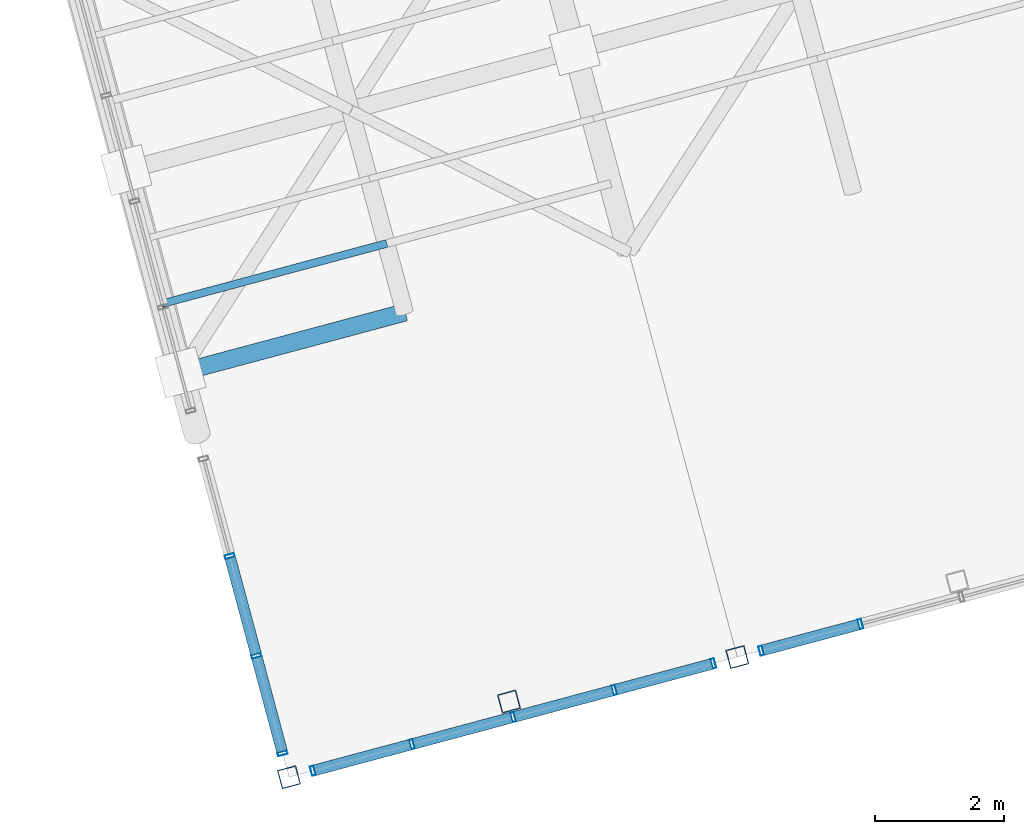
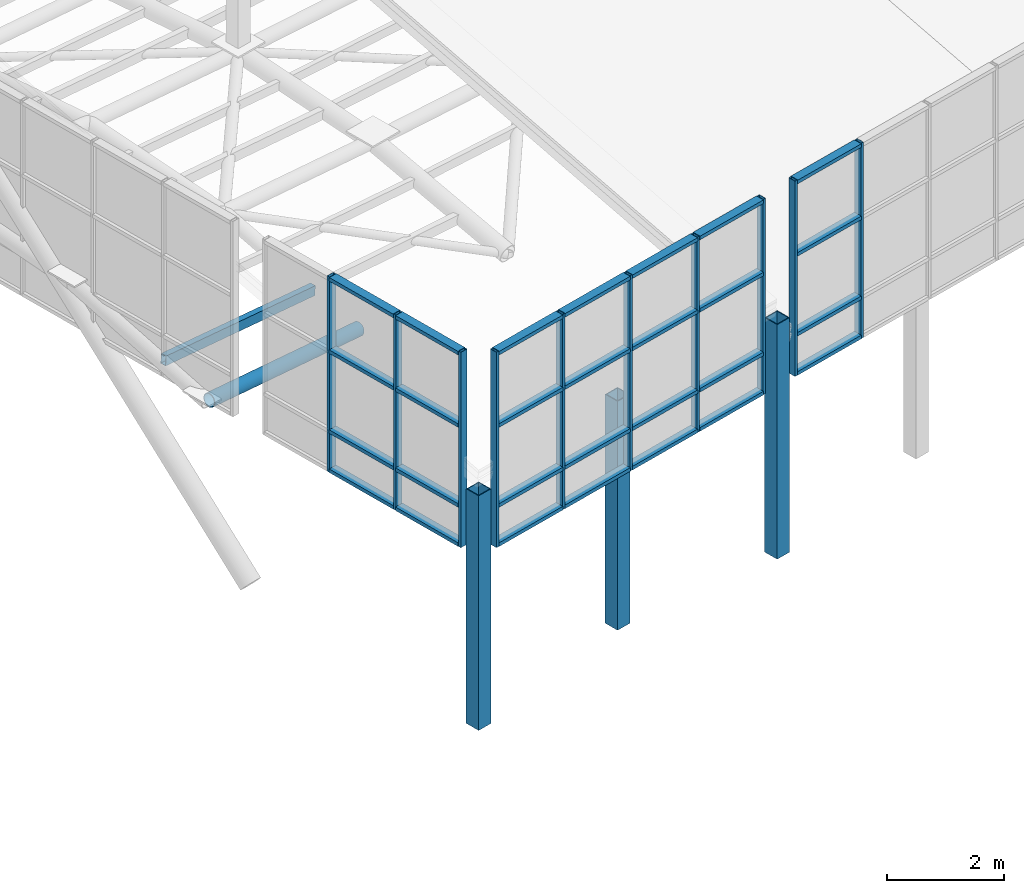
# One storey, part 4 of 28: 43 members, 3 elements without a shape of their own.
"""IFC4 building model written with IfcOpenShell, lengths in metres."""

import ifcopenshell
import ifcopenshell.guid

model = None  # the IFC model being written
_history = None  # IfcOwnerHistory: only IFC2X3 demands one
_inside = {}  # id of a spatial element -> (the spatial element, [elements in it])
_under = {}  # id of a project, library or spatial element -> (it, [spatial elements below it])
_declared = {}  # id of a project -> (the project, [libraries it declares])
_typed = {}  # id of a type object -> (the type object, [elements of that type])
_made_of = {}  # id of a material, layer set ... -> (it, [elements and type objects made of it])


def new_model(schema):
    """Start an empty IFC model of exactly this schema.

    Asked for "IFC4X3", IfcOpenShell would pick the latest addendum, in which some entities
    have other attributes; the version numbers below select the first issue.
    IFC2X3 requires an IfcOwnerHistory on every rooted entity: one is made here for all.
    """
    global model, _history
    if schema == "IFC4X3":
        model = ifcopenshell.file(schema_version=(4, 3, 0, 0))
    else:
        model = ifcopenshell.file(schema=schema)
    _inside.clear()
    _under.clear()
    _declared.clear()
    _typed.clear()
    _made_of.clear()
    _history = None
    if model.schema == "IFC2X3":
        org = make("IfcOrganization", Name="unknown")
        user = make(
            "IfcPersonAndOrganization",
            ThePerson=make("IfcPerson", FamilyName="unknown"),
            TheOrganization=org,
        )
        app = make(
            "IfcApplication",
            ApplicationDeveloper=org,
            Version="unknown",
            ApplicationFullName="unknown",
            ApplicationIdentifier="unknown",
        )
        _history = make(
            "IfcOwnerHistory",
            OwningUser=user,
            OwningApplication=app,
            ChangeAction="ADDED",
            CreationDate=0,
        )
    return model


def make(cls, **values):
    """One entity of the class cls with the attributes given. An attribute that is None is left unset."""
    return model.create_entity(
        cls, **{name: value for name, value in values.items() if value is not None}
    )


def rooted(cls, **values):
    """An entity with a GlobalId (a new one), such as an element, a storey or a relation."""
    return make(cls, GlobalId=ifcopenshell.guid.new(), OwnerHistory=_history, **values)


def si_unit(unit_type, name, prefix=None):
    """IfcSIUnit, for example si_unit("LENGTHUNIT", "METRE", prefix="MILLI")."""
    return make("IfcSIUnit", UnitType=unit_type, Prefix=prefix, Name=name)


def assignment(units):
    """IfcUnitAssignment: the units of a project."""
    return None if units is None else make("IfcUnitAssignment", Units=units)


def point(xyz):
    """IfcCartesianPoint."""
    return None if xyz is None else make("IfcCartesianPoint", Coordinates=xyz)


def direction(xyz):
    """IfcDirection."""
    return None if xyz is None else make("IfcDirection", DirectionRatios=xyz)


def frame(location, z_axis=None, x_axis=None):
    """IfcAxis2Placement3D, a coordinate frame: its origin and axes. An axis left out is left unset."""
    return make(
        "IfcAxis2Placement3D",
        Location=point(location),
        Axis=direction(z_axis),
        RefDirection=direction(x_axis),
    )


def frame_2d(location, x_axis=None):
    """IfcAxis2Placement2D, a coordinate frame in the plane: its origin and x axis."""
    return make(
        "IfcAxis2Placement2D", Location=point(location), RefDirection=direction(x_axis)
    )


def origin():
    """The frame at (0, 0, 0) with its axes left unset."""
    return frame((0.0, 0.0, 0.0))


def origin_2d():
    """The frame at (0, 0) in the plane with its x axis left unset."""
    return frame_2d((0.0, 0.0))


def place(relative_to, where):
    """IfcLocalPlacement: puts the frame where relative to a parent placement (None: the world)."""
    return make(
        "IfcLocalPlacement", PlacementRelTo=relative_to, RelativePlacement=where
    )


def context(
    kind, dimensions, precision=None, world=None, true_north=None, identifier=None
):
    """IfcGeometricRepresentationContext, for example the 3D "Model" context."""
    return make(
        "IfcGeometricRepresentationContext",
        ContextIdentifier=identifier,
        ContextType=kind,
        CoordinateSpaceDimension=dimensions,
        Precision=precision,
        WorldCoordinateSystem=world,
        TrueNorth=true_north,
    )


def subcontext(parent, identifier, kind, view, scale=None):
    """IfcGeometricRepresentationSubContext, for example "Body" below "Model"."""
    return make(
        "IfcGeometricRepresentationSubContext",
        ContextIdentifier=identifier,
        ContextType=kind,
        ParentContext=parent,
        TargetScale=scale,
        TargetView=view,
    )


def project(units=None, contexts=None):
    """IfcProject with its units and contexts."""
    return rooted(
        "IfcProject",
        Name="project",
        RepresentationContexts=contexts,
        UnitsInContext=assignment(units),
    )


def spatial(cls, under=None, at=None, **own):
    """A site, building, storey or space (cls), placed at a placement, below another one or the project."""
    s = rooted(cls, ObjectPlacement=at, **own)
    if under is not None:
        _under.setdefault(under.id(), (under, []))[1].append(s)
    return s


def profile(cls, at=None, kind="AREA", **sizes):
    """A parametric profile (cls). Its sizes go by their IFC names, for example OverallWidth=200.0."""
    return make(cls, ProfileType=kind, Position=at, **sizes)


def hollow_rectangle(**sizes):
    """IfcRectangleHollowProfileDef."""
    return profile("IfcRectangleHollowProfileDef", **sizes)


def hollow_circle(**sizes):
    """IfcCircleHollowProfileDef."""
    return profile("IfcCircleHollowProfileDef", **sizes)


def extrude(swept, where, along, depth):
    """IfcExtrudedAreaSolid: the profile swept, set in the frame where, extruded along a direction by depth."""
    return make(
        "IfcExtrudedAreaSolid",
        SweptArea=swept,
        Position=where,
        ExtrudedDirection=direction(along),
        Depth=depth,
    )


def shape(context_of_items, identifier, shape_type, items):
    """IfcShapeRepresentation: the items that make up one representation, for example the "Body"."""
    return make(
        "IfcShapeRepresentation",
        ContextOfItems=context_of_items,
        RepresentationIdentifier=identifier,
        RepresentationType=shape_type,
        Items=items,
    )


def material(Name=None, Category=None):
    """IfcMaterial."""
    return make("IfcMaterial", Name=Name, Category=Category)


def layer(
    of_material, thickness, ventilated=None, Name=None, Category=None, Priority=None
):
    """IfcMaterialLayer: one layer of a wall or slab, of a material (None: an air gap)."""
    return make(
        "IfcMaterialLayer",
        Material=of_material,
        LayerThickness=thickness,
        IsVentilated=ventilated,
        Name=Name,
        Category=Category,
        Priority=Priority,
    )


def layer_set(layers, Name=None):
    """IfcMaterialLayerSet."""
    return make("IfcMaterialLayerSet", MaterialLayers=layers, LayerSetName=Name)


def material_profile(
    of_material, cross_section, Name=None, Category=None, Priority=None
):
    """IfcMaterialProfile: a cross section and its material."""
    return make(
        "IfcMaterialProfile",
        Name=Name,
        Material=of_material,
        Profile=cross_section,
        Priority=Priority,
        Category=Category,
    )


def profile_set(profiles, Name=None, composite=None):
    """IfcMaterialProfileSet."""
    return make(
        "IfcMaterialProfileSet",
        Name=Name,
        MaterialProfiles=profiles,
        CompositeProfile=composite,
    )


def made_of(thing, what):
    """Note that an element or type object is made of a material, layer set ...; save() writes the relation."""
    if what is not None:
        _made_of.setdefault(what.id(), (what, []))[1].append(thing)
    return thing


def type_object(cls, material=None, **own):
    """A type object (cls), such as IfcWallType, which elements share."""
    return made_of(rooted(cls, **own), material)


def element(
    cls,
    number,
    at=None,
    inside=None,
    cuts=None,
    type_object=None,
    material=None,
    context=None,
    identifier="Body",
    shape_type=None,
    held_by="IfcProductDefinitionShape",
    body=None,
    shapes=None,
    **own,
):
    """One element of the class cls, such as IfcWall. Its Tag is "e" and its number.

    at: its placement. inside: the storey or other place that contains it. cuts: it is an
    opening in that element (IfcRelVoidsElement). A single representation is given by context,
    identifier, shape_type and body (its items); several are given by shapes. held_by: the class
    of the entity that holds the representations. save() writes the other relations.
    """
    e = rooted(cls, Tag="e%d" % number, ObjectPlacement=at, **own)
    if body is not None:
        shapes = [shape(context, identifier, shape_type, body)]
    if shapes is not None:
        e.Representation = make(held_by, Representations=shapes)
    if inside is not None:
        _inside.setdefault(inside.id(), (inside, []))[1].append(e)
    if cuts is not None:
        rooted(
            "IfcRelVoidsElement", RelatingBuildingElement=cuts, RelatedOpeningElement=e
        )
    if type_object is not None:
        _typed.setdefault(type_object.id(), (type_object, []))[1].append(e)
    return made_of(e, material)


def aggregate(whole, parts):
    """IfcRelAggregates: a whole, such as a stair, and the parts it consists of."""
    return rooted("IfcRelAggregates", RelatingObject=whole, RelatedObjects=parts)


def save(model, path):
    """Write the relations noted so far, then the file.

    IfcRelAggregates (storeys below a building ...), IfcRelContainedInSpatialStructure (elements
    in a storey), IfcRelDefinesByType, IfcRelAssociatesMaterial and IfcRelDeclares: one each for
    every whole, place, type object, material and project.
    """
    for whole, parts in _under.values():
        aggregate(whole, parts)
    for where, things in _inside.values():
        rooted(
            "IfcRelContainedInSpatialStructure",
            RelatedElements=things,
            RelatingStructure=where,
        )
    for kind, things in _typed.values():
        rooted("IfcRelDefinesByType", RelatedObjects=things, RelatingType=kind)
    for what, things in _made_of.values():
        rooted("IfcRelAssociatesMaterial", RelatedObjects=things, RelatingMaterial=what)
    for by, libraries in _declared.values():
        rooted("IfcRelDeclares", RelatingContext=by, RelatedDefinitions=libraries)
    model.write(path)


model = new_model("IFC4")

# Units and contexts
model_context = context("Model", 3, precision=1e-05, world=origin(), true_north=direction((0.0, 1.0)))
body_context = subcontext(model_context, "Body", "Model", "MODEL_VIEW")
ifc_project = project(units=[si_unit("LENGTHUNIT", "METRE"), si_unit("AREAUNIT", "SQUARE_METRE"), si_unit("VOLUMEUNIT", "CUBIC_METRE"), si_unit("PLANEANGLEUNIT", "RADIAN"), si_unit("MASSUNIT", "GRAM", prefix="KILO")], contexts=[model_context])

# Site, building, storey
site_placement = place(None, origin())
site = spatial("IfcSite", under=ifc_project, at=site_placement, CompositionType="ELEMENT")
building_placement = place(site_placement, origin())
building = spatial("IfcBuilding", under=site, at=building_placement, Name="Ventoquebrada Cableway Terminal", CompositionType="ELEMENT")
storey_placement = place(building_placement, frame((0.0, 0.0, 23.39990234375)))
storey = spatial("IfcBuildingStorey", under=building, at=storey_placement, Name="RF", CompositionType="ELEMENT", Elevation=23.39990234375)

# Member
ifc_material_1 = material(Name="Steel ASTM A500 Grade C", Category="steel")
ifc_material_profile_1 = material_profile(ifc_material_1, hollow_circle(Radius=0.136474609375, WallThickness=0.012451171875, at=origin_2d()), Name="CHS273.0X12.5")
ifc_profile_set_1 = profile_set([ifc_material_profile_1], Name="Steel ASTM A500 Grade C")
member_type_1 = type_object("IfcMemberType", Name="CHD-GS02", PredefinedType="CHORD", material=ifc_profile_set_1)
member_1_placement = place(storey_placement, frame((50.2958984375, 76.06298828125, -0.06982421875), z_axis=(0.962816232192, 0.257774069186, -0.080854389391), x_axis=(-0.258620813366, 0.965978920523, 0.0)))
element("IfcMember", 1, at=member_1_placement, inside=storey, type_object=member_type_1, Name="Saddle gridshell longitudinal chord GLG-0123", PredefinedType="CHORD", context=body_context, shape_type="SweptSolid", body=[
    extrude(hollow_circle(Radius=0.136474609375, WallThickness=0.012451171875, at=origin_2d()), origin(), (0.0, 0.0, 1.0), 3.611328125),
])

# Curtain wall, members
ifc_material_2 = material(Name="Anodized thermally-broken aluminium", Category="aluminium")
ifc_layer_1 = layer(ifc_material_2, 0.159912109375)
ifc_layer_set_1 = layer_set([ifc_layer_1], Name="Anodized thermally-broken aluminium")
curtain_wall_type_1 = type_object("IfcCurtainWallType", Name="CW-T48", PredefinedType="USERDEFINED", material=ifc_layer_set_1)
curtain_wall_1_placement = place(storey_placement, origin())
curtain_wall_1 = element("IfcCurtainWall", 2, at=curtain_wall_1_placement, inside=storey, type_object=curtain_wall_type_1, Name="Unitised glazed curtain wall CW-151", ObjectType="UNITISED CURTAIN WALL", PredefinedType="USERDEFINED")
ifc_material_profile_2 = material_profile(ifc_material_2, hollow_rectangle(XDim=0.06005859375, YDim=0.14990234375, WallThickness=0.00390625, at=origin_2d()), Name="CW-MUL-60X150")
ifc_profile_set_2 = profile_set([ifc_material_profile_2], Name="Anodized thermally-broken aluminium")
member_type_2 = type_object("IfcMemberType", Name="CWM-03", PredefinedType="MULLION", material=ifc_profile_set_2)
member_2_placement = place(storey_placement, frame((52.35009765625, 69.884033203125, -0.06298828125), z_axis=(0.0, 0.0, 1.0), x_axis=(0.965943892913, 0.258751610128, 0.0)))
member_2 = element("IfcMember", 3, at=member_2_placement, type_object=member_type_2, Name="Curtain wall mullion FML-0732", PredefinedType="MULLION", context=body_context, shape_type="SweptSolid", body=[
    extrude(hollow_rectangle(XDim=0.06005859375, YDim=0.14990234375, WallThickness=0.00390625, at=origin_2d()), origin(), (0.0, 0.0, 1.0), 4.068115234375),
])
member_3_placement = place(storey_placement, frame((53.885986328125, 70.2958984375, -0.06298828125), z_axis=(0.0, 0.0, 1.0), x_axis=(0.965943892913, 0.258751610128, 0.0)))
member_3 = element("IfcMember", 4, at=member_3_placement, type_object=member_type_2, Name="Curtain wall mullion FML-0733", PredefinedType="MULLION", context=body_context, shape_type="SweptSolid", body=[
    extrude(hollow_rectangle(XDim=0.06005859375, YDim=0.14990234375, WallThickness=0.00390625, at=origin_2d()), origin(), (0.0, 0.0, 1.0), 4.068115234375),
])
member_4_placement = place(storey_placement, frame((55.4560546875, 70.716064453125, -0.06298828125), z_axis=(0.0, 0.0, 1.0), x_axis=(0.965943892913, 0.258751610128, 0.0)))
member_4 = element("IfcMember", 5, at=member_4_placement, type_object=member_type_2, Name="Curtain wall mullion FML-0734", PredefinedType="MULLION", context=body_context, shape_type="SweptSolid", body=[
    extrude(hollow_rectangle(XDim=0.06005859375, YDim=0.14990234375, WallThickness=0.00390625, at=origin_2d()), origin(), (0.0, 0.0, 1.0), 4.068115234375),
])
member_5_placement = place(storey_placement, frame((57.02490234375, 71.135986328125, -0.06298828125), z_axis=(0.0, 0.0, 1.0), x_axis=(0.965943892913, 0.258751610128, 0.0)))
member_5 = element("IfcMember", 6, at=member_5_placement, type_object=member_type_2, Name="Curtain wall mullion FML-0735", PredefinedType="MULLION", context=body_context, shape_type="SweptSolid", body=[
    extrude(hollow_rectangle(XDim=0.06005859375, YDim=0.14990234375, WallThickness=0.00390625, at=origin_2d()), origin(), (0.0, 0.0, 1.0), 4.068115234375),
])
member_6_placement = place(storey_placement, frame((58.56103515625, 71.548095703125, -0.06298828125), z_axis=(0.0, 0.0, 1.0), x_axis=(0.965943892913, 0.258751610128, 0.0)))
member_6 = element("IfcMember", 7, at=member_6_placement, type_object=member_type_2, Name="Curtain wall mullion FML-0736", PredefinedType="MULLION", context=body_context, shape_type="SweptSolid", body=[
    extrude(hollow_rectangle(XDim=0.06005859375, YDim=0.14990234375, WallThickness=0.00390625, at=origin_2d()), origin(), (0.0, 0.0, 1.0), 4.068115234375),
])

curtain_wall_2_placement = place(storey_placement, origin())
curtain_wall_2 = element("IfcCurtainWall", 8, at=curtain_wall_2_placement, inside=storey, type_object=curtain_wall_type_1, Name="Unitised glazed curtain wall CW-152", ObjectType="UNITISED CURTAIN WALL", PredefinedType="USERDEFINED")
member_7_placement = place(storey_placement, frame((59.304931640625, 71.7470703125, -0.06298828125), z_axis=(0.0, 0.0, 1.0), x_axis=(0.965894198369, 0.258937053273, 0.0)))
member_7 = element("IfcMember", 9, at=member_7_placement, type_object=member_type_2, Name="Curtain wall mullion FML-0737", PredefinedType="MULLION", context=body_context, shape_type="SweptSolid", body=[
    extrude(hollow_rectangle(XDim=0.06005859375, YDim=0.14990234375, WallThickness=0.00390625, at=origin_2d()), origin(), (0.0, 0.0, 1.0), 4.068115234375),
])
member_8_placement = place(storey_placement, frame((60.841064453125, 72.158935546875, -0.06298828125), z_axis=(0.0, 0.0, 1.0), x_axis=(0.965894198369, 0.258937053273, 0.0)))
member_8 = element("IfcMember", 10, at=member_8_placement, type_object=member_type_2, Name="Curtain wall mullion FML-0738", PredefinedType="MULLION", context=body_context, shape_type="SweptSolid", body=[
    extrude(hollow_rectangle(XDim=0.06005859375, YDim=0.14990234375, WallThickness=0.00390625, at=origin_2d()), origin(), (0.0, 0.0, 1.0), 4.068115234375),
])

ifc_layer_2 = layer(ifc_material_2, 0.159912109375)
ifc_layer_set_2 = layer_set([ifc_layer_2], Name="Anodized thermally-broken aluminium")
curtain_wall_type_2 = type_object("IfcCurtainWallType", Name="CW-T49", PredefinedType="USERDEFINED", material=ifc_layer_set_2)
curtain_wall_3_placement = place(storey_placement, origin())
curtain_wall_3 = element("IfcCurtainWall", 11, at=curtain_wall_3_placement, inside=storey, type_object=curtain_wall_type_2, Name="Unitised glazed curtain wall CW-161", ObjectType="UNITISED CURTAIN WALL", PredefinedType="USERDEFINED")
member_9_placement = place(storey_placement, frame((51.05908203125, 73.212890625, -0.06298828125), z_axis=(0.0, 0.0, 1.0), x_axis=(0.258717892168, -0.96595292446, 0.0)))
member_9 = element("IfcMember", 12, at=member_9_placement, type_object=member_type_2, Name="Curtain wall mullion FML-0783", PredefinedType="MULLION", context=body_context, shape_type="SweptSolid", body=[
    extrude(hollow_rectangle(XDim=0.06005859375, YDim=0.14990234375, WallThickness=0.00390625, at=origin_2d()), origin(), (0.0, 0.0, 1.0), 4.068115234375),
])
member_10_placement = place(storey_placement, frame((51.472900390625, 71.66796875, -0.06298828125), z_axis=(0.0, 0.0, 1.0), x_axis=(0.258717892168, -0.96595292446, 0.0)))
member_10 = element("IfcMember", 13, at=member_10_placement, type_object=member_type_2, Name="Curtain wall mullion FML-0784", PredefinedType="MULLION", context=body_context, shape_type="SweptSolid", body=[
    extrude(hollow_rectangle(XDim=0.06005859375, YDim=0.14990234375, WallThickness=0.00390625, at=origin_2d()), origin(), (0.0, 0.0, 1.0), 4.068115234375),
])
member_11_placement = place(storey_placement, frame((51.8779296875, 70.156005859375, -0.06298828125), z_axis=(0.0, 0.0, 1.0), x_axis=(0.258717892168, -0.96595292446, 0.0)))
member_11 = element("IfcMember", 14, at=member_11_placement, type_object=member_type_2, Name="Curtain wall mullion FML-0785", PredefinedType="MULLION", context=body_context, shape_type="SweptSolid", body=[
    extrude(hollow_rectangle(XDim=0.06005859375, YDim=0.14990234375, WallThickness=0.00390625, at=origin_2d()), origin(), (0.0, 0.0, 1.0), 4.068115234375),
])

# Member
ifc_material_profile_3 = material_profile(ifc_material_2, hollow_rectangle(XDim=0.074951171875, YDim=0.169921875, WallThickness=0.00439453125, at=origin_2d()), Name="CW-TRN-75X170")
ifc_profile_set_3 = profile_set([ifc_material_profile_3], Name="Anodized thermally-broken aluminium")
member_type_3 = type_object("IfcMemberType", Name="CWT-03", PredefinedType="USERDEFINED", material=ifc_profile_set_3)
member_12_placement = place(storey_placement, frame((52.3740234375, 69.89111328125, -0.02001953125), z_axis=(0.966050544784, 0.25835313995, 0.0), x_axis=(0.0, 0.0, 1.0)))
member_12 = element("IfcMember", 15, at=member_12_placement, type_object=member_type_3, Name="Curtain wall transom FTR-2124", ObjectType="TRANSOM", PredefinedType="USERDEFINED", context=body_context, shape_type="SweptSolid", body=[
    extrude(hollow_rectangle(XDim=0.074951171875, YDim=0.169921875, WallThickness=0.00439453125, at=origin_2d()), origin(), (0.0, 0.0, 1.0), 1.540283203125),
])

member_13_placement = place(storey_placement, frame((52.3740234375, 69.89111328125, 0.795166015625), z_axis=(0.966050544784, 0.25835313995, 0.0), x_axis=(0.0, 0.0, 1.0)))
member_13 = element("IfcMember", 16, at=member_13_placement, type_object=member_type_3, Name="Curtain wall transom FTR-2125", ObjectType="TRANSOM", PredefinedType="USERDEFINED", context=body_context, shape_type="SweptSolid", body=[
    extrude(hollow_rectangle(XDim=0.074951171875, YDim=0.169921875, WallThickness=0.00439453125, at=origin_2d()), origin(), (0.0, 0.0, 1.0), 1.540283203125),
])

member_14_placement = place(storey_placement, frame((52.3740234375, 69.89111328125, 2.458984375), z_axis=(0.966050544784, 0.25835313995, 0.0), x_axis=(0.0, 0.0, 1.0)))
member_14 = element("IfcMember", 17, at=member_14_placement, type_object=member_type_3, Name="Curtain wall transom FTR-2126", ObjectType="TRANSOM", PredefinedType="USERDEFINED", context=body_context, shape_type="SweptSolid", body=[
    extrude(hollow_rectangle(XDim=0.074951171875, YDim=0.169921875, WallThickness=0.00439453125, at=origin_2d()), origin(), (0.0, 0.0, 1.0), 1.540283203125),
])

member_15_placement = place(storey_placement, frame((52.3740234375, 69.89111328125, 3.965087890625), z_axis=(0.966050544784, 0.25835313995, 0.0), x_axis=(0.0, 0.0, 1.0)))
member_15 = element("IfcMember", 18, at=member_15_placement, type_object=member_type_3, Name="Curtain wall transom FTR-2127", ObjectType="TRANSOM", PredefinedType="USERDEFINED", context=body_context, shape_type="SweptSolid", body=[
    extrude(hollow_rectangle(XDim=0.074951171875, YDim=0.169921875, WallThickness=0.00439453125, at=origin_2d()), origin(), (0.0, 0.0, 1.0), 1.540283203125),
])

member_16_placement = place(storey_placement, frame((53.909912109375, 70.302001953125, -0.02001953125), z_axis=(0.965860816082, 0.259061544731, 0.0), x_axis=(0.0, 0.0, 1.0)))
member_16 = element("IfcMember", 19, at=member_16_placement, type_object=member_type_3, Name="Curtain wall transom FTR-2128", ObjectType="TRANSOM", PredefinedType="USERDEFINED", context=body_context, shape_type="SweptSolid", body=[
    extrude(hollow_rectangle(XDim=0.074951171875, YDim=0.169921875, WallThickness=0.00439453125, at=origin_2d()), origin(), (0.0, 0.0, 1.0), 1.57470703125),
])

member_17_placement = place(storey_placement, frame((53.909912109375, 70.302001953125, 0.795166015625), z_axis=(0.965860816082, 0.259061544731, 0.0), x_axis=(0.0, 0.0, 1.0)))
member_17 = element("IfcMember", 20, at=member_17_placement, type_object=member_type_3, Name="Curtain wall transom FTR-2129", ObjectType="TRANSOM", PredefinedType="USERDEFINED", context=body_context, shape_type="SweptSolid", body=[
    extrude(hollow_rectangle(XDim=0.074951171875, YDim=0.169921875, WallThickness=0.00439453125, at=origin_2d()), origin(), (0.0, 0.0, 1.0), 1.57470703125),
])

member_18_placement = place(storey_placement, frame((53.909912109375, 70.302001953125, 2.458984375), z_axis=(0.965860816082, 0.259061544731, 0.0), x_axis=(0.0, 0.0, 1.0)))
member_18 = element("IfcMember", 21, at=member_18_placement, type_object=member_type_3, Name="Curtain wall transom FTR-2130", ObjectType="TRANSOM", PredefinedType="USERDEFINED", context=body_context, shape_type="SweptSolid", body=[
    extrude(hollow_rectangle(XDim=0.074951171875, YDim=0.169921875, WallThickness=0.00439453125, at=origin_2d()), origin(), (0.0, 0.0, 1.0), 1.57470703125),
])

member_19_placement = place(storey_placement, frame((53.909912109375, 70.302001953125, 3.965087890625), z_axis=(0.965860816082, 0.259061544731, 0.0), x_axis=(0.0, 0.0, 1.0)))
member_19 = element("IfcMember", 22, at=member_19_placement, type_object=member_type_3, Name="Curtain wall transom FTR-2131", ObjectType="TRANSOM", PredefinedType="USERDEFINED", context=body_context, shape_type="SweptSolid", body=[
    extrude(hollow_rectangle(XDim=0.074951171875, YDim=0.169921875, WallThickness=0.00439453125, at=origin_2d()), origin(), (0.0, 0.0, 1.0), 1.57470703125),
])

member_20_placement = place(storey_placement, frame((55.47998046875, 70.721923828125, -0.02001953125), z_axis=(0.965860816082, 0.259061544731, 0.0), x_axis=(0.0, 0.0, 1.0)))
member_20 = element("IfcMember", 23, at=member_20_placement, type_object=member_type_3, Name="Curtain wall transom FTR-2132", ObjectType="TRANSOM", PredefinedType="USERDEFINED", context=body_context, shape_type="SweptSolid", body=[
    extrude(hollow_rectangle(XDim=0.074951171875, YDim=0.169921875, WallThickness=0.00439453125, at=origin_2d()), origin(), (0.0, 0.0, 1.0), 1.57470703125),
])

member_21_placement = place(storey_placement, frame((55.47998046875, 70.721923828125, 0.795166015625), z_axis=(0.965860816082, 0.259061544731, 0.0), x_axis=(0.0, 0.0, 1.0)))
member_21 = element("IfcMember", 24, at=member_21_placement, type_object=member_type_3, Name="Curtain wall transom FTR-2133", ObjectType="TRANSOM", PredefinedType="USERDEFINED", context=body_context, shape_type="SweptSolid", body=[
    extrude(hollow_rectangle(XDim=0.074951171875, YDim=0.169921875, WallThickness=0.00439453125, at=origin_2d()), origin(), (0.0, 0.0, 1.0), 1.57470703125),
])

member_22_placement = place(storey_placement, frame((55.47998046875, 70.721923828125, 2.458984375), z_axis=(0.965860816082, 0.259061544731, 0.0), x_axis=(0.0, 0.0, 1.0)))
member_22 = element("IfcMember", 25, at=member_22_placement, type_object=member_type_3, Name="Curtain wall transom FTR-2134", ObjectType="TRANSOM", PredefinedType="USERDEFINED", context=body_context, shape_type="SweptSolid", body=[
    extrude(hollow_rectangle(XDim=0.074951171875, YDim=0.169921875, WallThickness=0.00439453125, at=origin_2d()), origin(), (0.0, 0.0, 1.0), 1.57470703125),
])

member_23_placement = place(storey_placement, frame((55.47998046875, 70.721923828125, 3.965087890625), z_axis=(0.965860816082, 0.259061544731, 0.0), x_axis=(0.0, 0.0, 1.0)))
member_23 = element("IfcMember", 26, at=member_23_placement, type_object=member_type_3, Name="Curtain wall transom FTR-2135", ObjectType="TRANSOM", PredefinedType="USERDEFINED", context=body_context, shape_type="SweptSolid", body=[
    extrude(hollow_rectangle(XDim=0.074951171875, YDim=0.169921875, WallThickness=0.00439453125, at=origin_2d()), origin(), (0.0, 0.0, 1.0), 1.57470703125),
])

member_24_placement = place(storey_placement, frame((57.049072265625, 71.14306640625, -0.02001953125), z_axis=(0.966050544784, 0.25835313995, 0.0), x_axis=(0.0, 0.0, 1.0)))
member_24 = element("IfcMember", 27, at=member_24_placement, type_object=member_type_3, Name="Curtain wall transom FTR-2136", ObjectType="TRANSOM", PredefinedType="USERDEFINED", context=body_context, shape_type="SweptSolid", body=[
    extrude(hollow_rectangle(XDim=0.074951171875, YDim=0.169921875, WallThickness=0.00439453125, at=origin_2d()), origin(), (0.0, 0.0, 1.0), 1.540283203125),
])

member_25_placement = place(storey_placement, frame((57.049072265625, 71.14306640625, 0.795166015625), z_axis=(0.966050544784, 0.25835313995, 0.0), x_axis=(0.0, 0.0, 1.0)))
member_25 = element("IfcMember", 28, at=member_25_placement, type_object=member_type_3, Name="Curtain wall transom FTR-2137", ObjectType="TRANSOM", PredefinedType="USERDEFINED", context=body_context, shape_type="SweptSolid", body=[
    extrude(hollow_rectangle(XDim=0.074951171875, YDim=0.169921875, WallThickness=0.00439453125, at=origin_2d()), origin(), (0.0, 0.0, 1.0), 1.540283203125),
])

member_26_placement = place(storey_placement, frame((57.049072265625, 71.14306640625, 2.458984375), z_axis=(0.966050544784, 0.25835313995, 0.0), x_axis=(0.0, 0.0, 1.0)))
member_26 = element("IfcMember", 29, at=member_26_placement, type_object=member_type_3, Name="Curtain wall transom FTR-2138", ObjectType="TRANSOM", PredefinedType="USERDEFINED", context=body_context, shape_type="SweptSolid", body=[
    extrude(hollow_rectangle(XDim=0.074951171875, YDim=0.169921875, WallThickness=0.00439453125, at=origin_2d()), origin(), (0.0, 0.0, 1.0), 1.540283203125),
])

member_27_placement = place(storey_placement, frame((57.049072265625, 71.14306640625, 3.965087890625), z_axis=(0.966050544784, 0.25835313995, 0.0), x_axis=(0.0, 0.0, 1.0)))
member_27 = element("IfcMember", 30, at=member_27_placement, type_object=member_type_3, Name="Curtain wall transom FTR-2139", ObjectType="TRANSOM", PredefinedType="USERDEFINED", context=body_context, shape_type="SweptSolid", body=[
    extrude(hollow_rectangle(XDim=0.074951171875, YDim=0.169921875, WallThickness=0.00439453125, at=origin_2d()), origin(), (0.0, 0.0, 1.0), 1.540283203125),
])

aggregate(curtain_wall_1, [member_2, member_3, member_4, member_5, member_6, member_12, member_13, member_14, member_15, member_16, member_17, member_18, member_19, member_20, member_21, member_22, member_23, member_24, member_25, member_26, member_27])

member_28_placement = place(storey_placement, frame((59.3291015625, 71.75390625, -0.02001953125), z_axis=(0.965957961207, 0.258699086162, 0.0), x_axis=(0.0, 0.0, 1.0)))
member_28 = element("IfcMember", 31, at=member_28_placement, type_object=member_type_3, Name="Curtain wall transom FTR-2140", ObjectType="TRANSOM", PredefinedType="USERDEFINED", context=body_context, shape_type="SweptSolid", body=[
    extrude(hollow_rectangle(XDim=0.074951171875, YDim=0.169921875, WallThickness=0.00439453125, at=origin_2d()), origin(), (0.0, 0.0, 1.0), 1.539306640625),
])

member_29_placement = place(storey_placement, frame((59.3291015625, 71.75390625, 0.795166015625), z_axis=(0.965957961207, 0.258699086162, 0.0), x_axis=(0.0, 0.0, 1.0)))
member_29 = element("IfcMember", 32, at=member_29_placement, type_object=member_type_3, Name="Curtain wall transom FTR-2141", ObjectType="TRANSOM", PredefinedType="USERDEFINED", context=body_context, shape_type="SweptSolid", body=[
    extrude(hollow_rectangle(XDim=0.074951171875, YDim=0.169921875, WallThickness=0.00439453125, at=origin_2d()), origin(), (0.0, 0.0, 1.0), 1.539306640625),
])

member_30_placement = place(storey_placement, frame((59.3291015625, 71.75390625, 2.458984375), z_axis=(0.965957961207, 0.258699086162, 0.0), x_axis=(0.0, 0.0, 1.0)))
member_30 = element("IfcMember", 33, at=member_30_placement, type_object=member_type_3, Name="Curtain wall transom FTR-2142", ObjectType="TRANSOM", PredefinedType="USERDEFINED", context=body_context, shape_type="SweptSolid", body=[
    extrude(hollow_rectangle(XDim=0.074951171875, YDim=0.169921875, WallThickness=0.00439453125, at=origin_2d()), origin(), (0.0, 0.0, 1.0), 1.539306640625),
])

member_31_placement = place(storey_placement, frame((59.3291015625, 71.75390625, 3.965087890625), z_axis=(0.965957961207, 0.258699086162, 0.0), x_axis=(0.0, 0.0, 1.0)))
member_31 = element("IfcMember", 34, at=member_31_placement, type_object=member_type_3, Name="Curtain wall transom FTR-2143", ObjectType="TRANSOM", PredefinedType="USERDEFINED", context=body_context, shape_type="SweptSolid", body=[
    extrude(hollow_rectangle(XDim=0.074951171875, YDim=0.169921875, WallThickness=0.00439453125, at=origin_2d()), origin(), (0.0, 0.0, 1.0), 1.539306640625),
])

aggregate(curtain_wall_2, [member_7, member_8, member_28, member_29, member_30, member_31])

member_32_placement = place(storey_placement, frame((51.06494140625, 73.18896484375, -0.02001953125), z_axis=(0.259397314556, -0.965770693903, 0.0), x_axis=(0.0, 0.0, 1.0)))
member_32 = element("IfcMember", 35, at=member_32_placement, type_object=member_type_3, Name="Curtain wall transom FTR-2288", ObjectType="TRANSOM", PredefinedType="USERDEFINED", context=body_context, shape_type="SweptSolid", body=[
    extrude(hollow_rectangle(XDim=0.074951171875, YDim=0.169921875, WallThickness=0.00439453125, at=origin_2d()), origin(), (0.0, 0.0, 1.0), 1.550048828125),
])

member_33_placement = place(storey_placement, frame((51.06494140625, 73.18896484375, 0.795166015625), z_axis=(0.259397314556, -0.965770693903, 0.0), x_axis=(0.0, 0.0, 1.0)))
member_33 = element("IfcMember", 36, at=member_33_placement, type_object=member_type_3, Name="Curtain wall transom FTR-2289", ObjectType="TRANSOM", PredefinedType="USERDEFINED", context=body_context, shape_type="SweptSolid", body=[
    extrude(hollow_rectangle(XDim=0.074951171875, YDim=0.169921875, WallThickness=0.00439453125, at=origin_2d()), origin(), (0.0, 0.0, 1.0), 1.550048828125),
])

member_34_placement = place(storey_placement, frame((51.06494140625, 73.18896484375, 2.458984375), z_axis=(0.259397314556, -0.965770693903, 0.0), x_axis=(0.0, 0.0, 1.0)))
member_34 = element("IfcMember", 37, at=member_34_placement, type_object=member_type_3, Name="Curtain wall transom FTR-2290", ObjectType="TRANSOM", PredefinedType="USERDEFINED", context=body_context, shape_type="SweptSolid", body=[
    extrude(hollow_rectangle(XDim=0.074951171875, YDim=0.169921875, WallThickness=0.00439453125, at=origin_2d()), origin(), (0.0, 0.0, 1.0), 1.550048828125),
])

member_35_placement = place(storey_placement, frame((51.06494140625, 73.18896484375, 3.965087890625), z_axis=(0.259397314556, -0.965770693903, 0.0), x_axis=(0.0, 0.0, 1.0)))
member_35 = element("IfcMember", 38, at=member_35_placement, type_object=member_type_3, Name="Curtain wall transom FTR-2291", ObjectType="TRANSOM", PredefinedType="USERDEFINED", context=body_context, shape_type="SweptSolid", body=[
    extrude(hollow_rectangle(XDim=0.074951171875, YDim=0.169921875, WallThickness=0.00439453125, at=origin_2d()), origin(), (0.0, 0.0, 1.0), 1.550048828125),
])

member_36_placement = place(storey_placement, frame((51.47900390625, 71.64404296875, -0.02001953125), z_axis=(0.258685093224, -0.965961708632, 0.0), x_axis=(0.0, 0.0, 1.0)))
member_36 = element("IfcMember", 39, at=member_36_placement, type_object=member_type_3, Name="Curtain wall transom FTR-2292", ObjectType="TRANSOM", PredefinedType="USERDEFINED", context=body_context, shape_type="SweptSolid", body=[
    extrude(hollow_rectangle(XDim=0.074951171875, YDim=0.169921875, WallThickness=0.00439453125, at=origin_2d()), origin(), (0.0, 0.0, 1.0), 1.515625),
])

member_37_placement = place(storey_placement, frame((51.47900390625, 71.64404296875, 0.795166015625), z_axis=(0.258685093224, -0.965961708632, 0.0), x_axis=(0.0, 0.0, 1.0)))
member_37 = element("IfcMember", 40, at=member_37_placement, type_object=member_type_3, Name="Curtain wall transom FTR-2293", ObjectType="TRANSOM", PredefinedType="USERDEFINED", context=body_context, shape_type="SweptSolid", body=[
    extrude(hollow_rectangle(XDim=0.074951171875, YDim=0.169921875, WallThickness=0.00439453125, at=origin_2d()), origin(), (0.0, 0.0, 1.0), 1.515625),
])

member_38_placement = place(storey_placement, frame((51.47900390625, 71.64404296875, 2.458984375), z_axis=(0.258685093224, -0.965961708632, 0.0), x_axis=(0.0, 0.0, 1.0)))
member_38 = element("IfcMember", 41, at=member_38_placement, type_object=member_type_3, Name="Curtain wall transom FTR-2294", ObjectType="TRANSOM", PredefinedType="USERDEFINED", context=body_context, shape_type="SweptSolid", body=[
    extrude(hollow_rectangle(XDim=0.074951171875, YDim=0.169921875, WallThickness=0.00439453125, at=origin_2d()), origin(), (0.0, 0.0, 1.0), 1.515625),
])

member_39_placement = place(storey_placement, frame((51.47900390625, 71.64404296875, 3.965087890625), z_axis=(0.258685093224, -0.965961708632, 0.0), x_axis=(0.0, 0.0, 1.0)))
member_39 = element("IfcMember", 42, at=member_39_placement, type_object=member_type_3, Name="Curtain wall transom FTR-2295", ObjectType="TRANSOM", PredefinedType="USERDEFINED", context=body_context, shape_type="SweptSolid", body=[
    extrude(hollow_rectangle(XDim=0.074951171875, YDim=0.169921875, WallThickness=0.00439453125, at=origin_2d()), origin(), (0.0, 0.0, 1.0), 1.515625),
])

aggregate(curtain_wall_3, [member_9, member_10, member_11, member_32, member_33, member_34, member_35, member_36, member_37, member_38, member_39])

# Members
ifc_material_profile_4 = material_profile(ifc_material_1, hollow_rectangle(XDim=0.300048828125, YDim=0.300048828125, WallThickness=0.01611328125, at=origin_2d()), Name="HSS300X300X16")
ifc_profile_set_4 = profile_set([ifc_material_profile_4], Name="Steel ASTM A500 Grade C")
member_type_4 = type_object("IfcMemberType", Name="PST-GS01", PredefinedType="STRUT", material=ifc_profile_set_4)
member_40_placement = place(storey_placement, frame((55.39111328125, 70.95703125, -3.39990234375), z_axis=(0.0, 0.0, 1.0), x_axis=(0.965925826289, 0.258819045103, 0.0)))
element("IfcMember", 43, at=member_40_placement, inside=storey, type_object=member_type_4, Name="Gridshell eaves support post PS-0441", PredefinedType="STRUT", context=body_context, shape_type="SweptSolid", body=[
    extrude(hollow_rectangle(XDim=0.300048828125, YDim=0.300048828125, WallThickness=0.01611328125, at=origin_2d()), origin(), (0.0, 0.0, 1.0), 4.76708984375),
])
ifc_material_profile_5 = material_profile(ifc_material_1, hollow_rectangle(XDim=0.1201171875, YDim=0.199951171875, WallThickness=0.008056640625, at=origin_2d()), Name="RHS200X120X8")
ifc_profile_set_5 = profile_set([ifc_material_profile_5], Name="Steel ASTM A500 Grade C")
member_type_5 = type_object("IfcMemberType", Name="PUR-RF01", PredefinedType="PURLIN", material=ifc_profile_set_5)
member_41_placement = place(storey_placement, frame((50.010009765625, 77.1298828125, 0.22802734375), z_axis=(0.962195996183, 0.257945816137, -0.087423228413), x_axis=(-0.258937219442, 0.965894153822, 0.0)))
element("IfcMember", 44, at=member_41_placement, inside=storey, type_object=member_type_5, Name="Gridshell secondary roof purlin GPR-0200", PredefinedType="PURLIN", context=body_context, shape_type="SweptSolid", body=[
    extrude(hollow_rectangle(XDim=0.1201171875, YDim=0.199951171875, WallThickness=0.008056640625, at=origin_2d()), origin(), (0.0, 0.0, 1.0), 3.61376953125),
])
ifc_material_profile_6 = material_profile(ifc_material_1, hollow_rectangle(XDim=0.300048828125, YDim=0.300048828125, WallThickness=0.01611328125, at=origin_2d()), Name="HSS300X300X16")
ifc_profile_set_6 = profile_set([ifc_material_profile_6], Name="Steel ASTM A500 Grade C")
member_type_6 = type_object("IfcMemberType", Name="STR-VS01", PredefinedType="STRUT", material=ifc_profile_set_6)
for number, where, z_axis, x_axis, name in (
    (45, (51.97802734375, 69.783935546875, -3.579833984375), (0.0, 0.0, 1.0), (0.965925826289, 0.258819045103, 0.0), "Gridshell deck stand-off post GS-SP-0437"),
    (46, (58.93310546875, 71.64794921875, -3.579833984375), (0.0, 0.0, 1.0), (0.965925826289, 0.258819045103, 0.0), "Gridshell deck stand-off post GS-SP-0438"),
):
    element("IfcMember", number, at=place(storey_placement, frame(where, z_axis=z_axis, x_axis=x_axis)), inside=storey, type_object=member_type_6, Name=name, PredefinedType="STRUT", context=body_context, shape_type="SweptSolid", body=[
        extrude(hollow_rectangle(XDim=0.300048828125, YDim=0.300048828125, WallThickness=0.01611328125, at=origin_2d()), origin(), (0.0, 0.0, 1.0), 4.885009765625),
    ])

save(model, "model.ifc")
